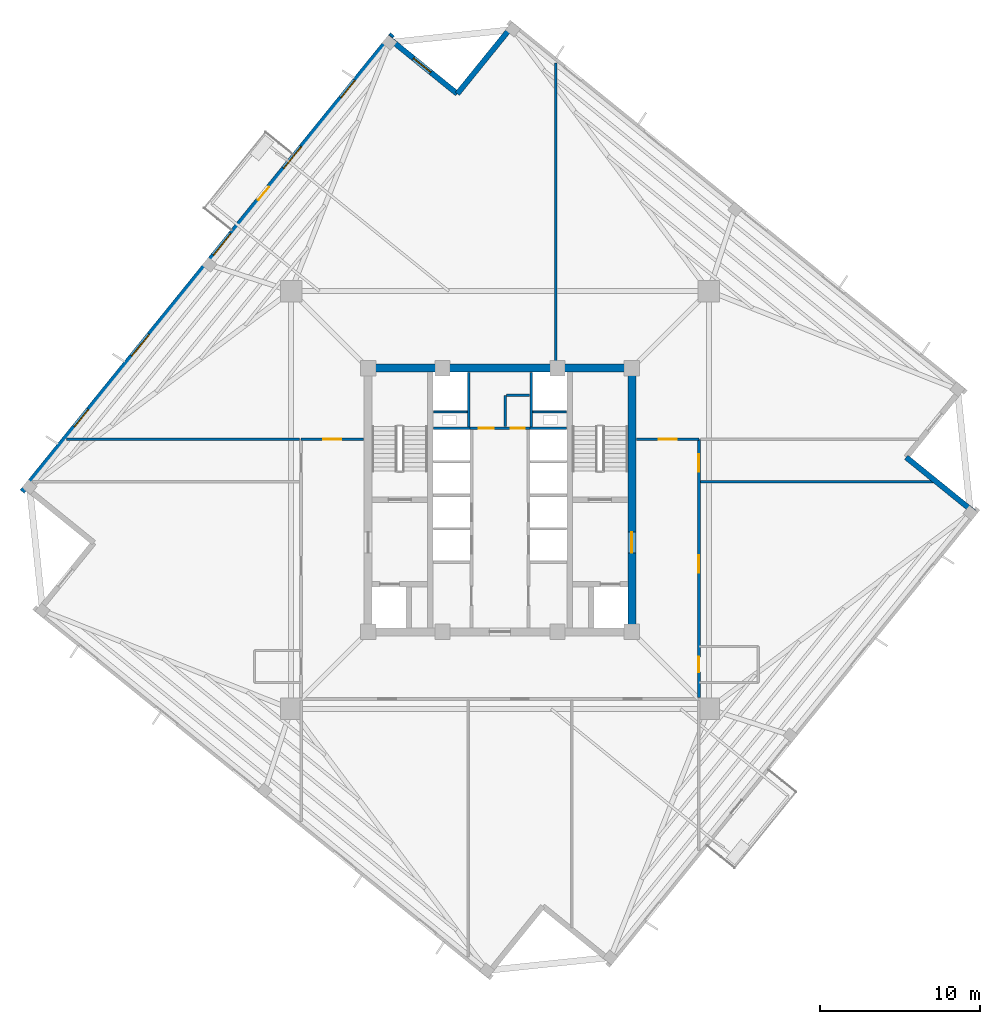
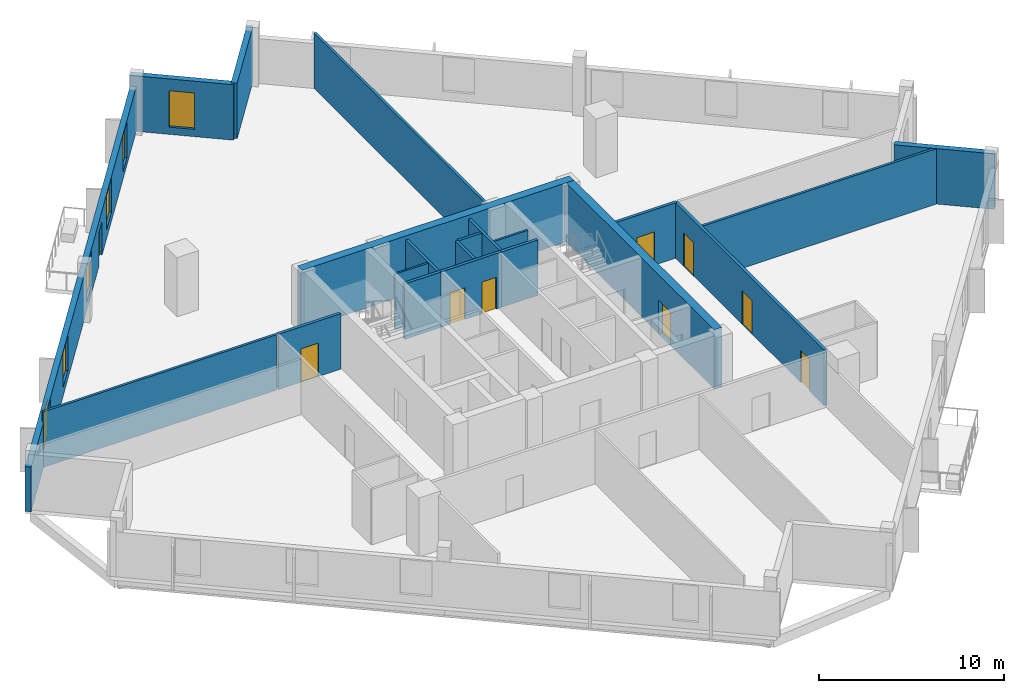
# One storey, part 4 of 9: 21 walls, 9 doors, 6 windows, 15 openings.
"""IFC4 building model written with IfcOpenShell, lengths in metres."""

from ifc_helpers import new_model, si_unit, direction, frame, frame_2d, origin, place, context, subcontext, project, spatial, rectangle, extrude, source, transform, mapped, material, layer, layer_set, type_object, element, fill, save


model = new_model("IFC4")

# Units and contexts
model_context = context("Model", 3, precision=1e-05, world=origin(), true_north=direction((0.0, 1.0)))
body_context = subcontext(model_context, "Body", "Model", "MODEL_VIEW")
ifc_project = project(units=[si_unit("LENGTHUNIT", "METRE"), si_unit("AREAUNIT", "SQUARE_METRE"), si_unit("VOLUMEUNIT", "CUBIC_METRE"), si_unit("PLANEANGLEUNIT", "RADIAN"), si_unit("MASSUNIT", "GRAM", prefix="KILO"), si_unit("THERMODYNAMICTEMPERATUREUNIT", "KELVIN")], contexts=[model_context])

# Site, building, storey
site_placement = place(None, origin())
site = spatial("IfcSite", under=ifc_project, at=site_placement, CompositionType="ELEMENT")
building_placement = place(site_placement, origin())
building = spatial("IfcBuilding", under=site, at=building_placement, Name="Kosmvard Interchange Tower", CompositionType="ELEMENT")
storey_placement = place(building_placement, frame((0.0, 0.0, 225.10009765625)))
storey = spatial("IfcBuildingStorey", under=building, at=storey_placement, Name="L54", CompositionType="ELEMENT", Elevation=225.10009765625)

# Walls
ifc_material_1 = material(Name="Acoustic gypsum partition system")
ifc_layer_1 = layer(ifc_material_1, 0.14990234375, Name="Acoustic gypsum partition system")
ifc_layer_set_1 = layer_set([ifc_layer_1], Name="Acoustic gypsum partition system")
wall_type_1 = type_object("IfcWallType", Name="Acoustic Suite & Meeting Partition 150", PredefinedType="PARTITIONING", material=ifc_layer_set_1)
wall_1_placement = place(storey_placement, frame((3.5, 8.5048828125, 0.0), z_axis=(0.0, 0.0, 1.0), x_axis=(0.0, 1.0, 0.0)))
element("IfcWall", 1, at=wall_1_placement, inside=storey, type_object=wall_type_1, Name="L54 Room Partition 01.1", PredefinedType="PARTITIONING", context=body_context, shape_type="SweptSolid", body=[
    extrude(rectangle(XDim=18.86767578125, YDim=0.14990234375, at=frame_2d((9.433837890625, 0.0))), origin(), (0.0, 0.0, 1.0), 3.659912109375),
])
wall_2_placement = place(storey_placement, frame((-27.12939453125, 3.800048828125, 0.0), z_axis=(0.0, 0.0, 1.0), x_axis=(1.0, 0.0, 0.0)))
element("IfcWall", 2, at=wall_2_placement, inside=storey, type_object=wall_type_1, Name="L54 Room Partition 03.1", PredefinedType="PARTITIONING", context=body_context, shape_type="SweptSolid", body=[
    extrude(rectangle(XDim=14.58447265625, YDim=0.14990234375, at=frame_2d((7.292236328125, 0.0))), origin(), (0.0, 0.0, 1.0), 3.659912109375),
])
wall_3_placement = place(storey_placement, frame((12.544921875, 1.14990234375, 0.0), z_axis=(0.0, 0.0, 1.0), x_axis=(1.0, 0.0, 0.0)))
element("IfcWall", 3, at=wall_3_placement, inside=storey, type_object=wall_type_1, Name="L54 Room Partition 04.1", PredefinedType="PARTITIONING", context=body_context, shape_type="SweptSolid", body=[
    extrude(rectangle(XDim=14.597412109375, YDim=0.14990234375, at=frame_2d((7.298828125, 0.0))), origin(), (0.0, 0.0, 1.0), 3.659912109375),
])
ifc_material_2 = material(Name="Fire-rated gypsum partition system")
ifc_layer_2 = layer(ifc_material_2, 0.159912109375, Name="Fire-rated gypsum partition system")
ifc_layer_set_2 = layer_set([ifc_layer_2], Name="Fire-rated gypsum partition system")
wall_type_2 = type_object("IfcWallType", Name="Core Compartment & Shuttle Lobby Partition 160", PredefinedType="PARTITIONING", material=ifc_layer_set_2)
for number, where, z_axis, x_axis, name in (
    (4, (-1.9599609375, 4.580078125, 0.0), (0.0, 0.0, 1.0), (0.0, 1.0, 0.0), "L54 North Core West Wall"),
    (5, (1.9599609375, 4.580078125, 0.0), (0.0, 0.0, 1.0), (0.0, 1.0, 0.0), "L54 North Core East Wall"),
):
    element("IfcWall", number, at=place(storey_placement, frame(where, z_axis=z_axis, x_axis=x_axis)), inside=storey, type_object=wall_type_2, Name=name, PredefinedType="PARTITIONING", context=body_context, shape_type="SweptSolid", body=[
        extrude(rectangle(XDim=3.39990234375, YDim=0.159912109375, at=frame_2d((1.699951171875, 0.0))), origin(), (0.0, 0.0, 1.0), 3.659912109375),
    ])
ifc_material_3 = material(Name="Concrete blockwork masonry", Category="masonry")
ifc_layer_3 = layer(ifc_material_3, 0.159912109375, Name="Concrete blockwork masonry")
ifc_layer_set_3 = layer_set([ifc_layer_3], Name="Concrete blockwork masonry")
wall_type_3 = type_object("IfcWallType", Name="Core Enclosure Split Wall 160", PredefinedType="PARTITIONING", material=ifc_layer_set_3)
wall_4_placement = place(storey_placement, frame((0.320068359375, 4.60009765625, 0.0), z_axis=(0.0, 0.0, 1.0), x_axis=(0.0, 1.0, 0.0)))
element("IfcWall", 6, at=wall_4_placement, inside=storey, type_object=wall_type_3, Name="L54 Core K3 L-Wall 1", PredefinedType="PARTITIONING", context=body_context, shape_type="SweptSolid", body=[
    extrude(rectangle(XDim=1.949951171875, YDim=0.159912109375, at=frame_2d((0.97509765625, 0.0))), origin(), (0.0, 0.0, 1.0), 3.659912109375),
])
wall_5_placement = place(storey_placement, frame((0.39990234375, 6.550048828125, 0.0), z_axis=(0.0, 0.0, 1.0), x_axis=(1.0, 0.0, 0.0)))
element("IfcWall", 7, at=wall_5_placement, inside=storey, type_object=wall_type_3, Name="L54 Core K3 L-Wall 2", PredefinedType="PARTITIONING", context=body_context, shape_type="SweptSolid", body=[
    extrude(rectangle(XDim=1.460205078125, YDim=0.159912109375, at=frame_2d((0.72998046875, 0.0))), origin(), (0.0, 0.0, 1.0), 3.659912109375),
])

# Wall, openings, doors
ifc_layer_4 = layer(ifc_material_2, 0.179931640625, Name="Fire-rated gypsum partition system")
ifc_layer_set_4 = layer_set([ifc_layer_4], Name="Fire-rated gypsum partition system")
wall_type_4 = type_object("IfcWallType", Name="Corridor & Hotel Compartment Partition 180", PredefinedType="PARTITIONING", material=ifc_layer_set_4)
wall_6_placement = place(storey_placement, frame((-1.8798828125, 4.489990234375, 0.0), z_axis=(0.0, 0.0, 1.0), x_axis=(1.0, 0.0, 0.0)))
wall_6 = element("IfcWall", 8, at=wall_6_placement, inside=storey, type_object=wall_type_4, Name="L54 Lift Lobby North Partition", PredefinedType="PARTITIONING", context=body_context, shape_type="SweptSolid", body=[
    extrude(rectangle(XDim=3.759765625, YDim=0.179931640625, at=frame_2d((1.8798828125, 0.0))), origin(), (0.0, 0.0, 1.0), 3.659912109375),
])
opening_1_placement = place(wall_6_placement, frame((0.550048828125, 0.0, 0.0)))
opening_1 = element("IfcOpeningElement", 9, at=opening_1_placement, cuts=wall_6, Name="Opening L54-KD1", PredefinedType="OPENING", context=body_context, shape_type="SweptSolid", body=[
    extrude(rectangle(XDim=0.949951171875, YDim=2.10009765625, at=frame_2d((0.47509765625, 1.050048828125))), frame((0.0, 0.10009765625, 0.0), z_axis=(0.0, -1.0, 0.0), x_axis=(1.0, 0.0, 0.0)), (0.0, 0.0, 1.0), 0.199951171875),
])
opening_2_placement = place(wall_6_placement, frame((2.56005859375, 0.0, 0.0)))
opening_2 = element("IfcOpeningElement", 10, at=opening_2_placement, cuts=wall_6, Name="Opening L54-KD2", PredefinedType="OPENING", context=body_context, shape_type="SweptSolid", body=[
    extrude(rectangle(XDim=0.8798828125, YDim=2.10009765625, at=frame_2d((0.43994140625, 1.050048828125))), frame((0.0, 0.10009765625, 0.0), z_axis=(0.0, -1.0, 0.0), x_axis=(1.0, 0.0, 0.0)), (0.0, 0.0, 1.0), 0.199951171875),
])
ifc_material_4 = material(Name="Painted fire-rated timber leaf", Category="wood")
door_type_1 = type_object("IfcDoorType", Name="Core Service Fire Door 950x2100 EI30", OperationType="NOTDEFINED", PredefinedType="DOOR", material=ifc_material_4)
shared_shape_1 = source(origin(), body_context, "Body", "SweptSolid", [
    extrude(rectangle(XDim=0.949951171875, YDim=2.10009765625, at=frame_2d((0.47509765625, 1.050048828125))), frame((0.0, 0.02490234375, 0.0), z_axis=(0.0, -1.0, 0.0), x_axis=(1.0, 0.0, 0.0)), (0.0, 0.0, 1.0), 0.050048828125),
])
door_1_placement = place(opening_1_placement, origin())
door_1 = element("IfcDoor", 11, at=door_1_placement, inside=storey, type_object=door_type_1, Name="L54 Core Archive Store Door", OperationType="SINGLE_SWING_LEFT", OverallHeight=2.10009765625, OverallWidth=0.949951171875, PredefinedType="DOOR", context=body_context, shape_type="MappedRepresentation", body=[
    mapped(shared_shape_1, transform((0.0, 0.0, 0.0), scale=1.0)),
])
fill(opening_1, door_1)
door_type_2 = type_object("IfcDoorType", Name="Core Cupboard Fire Door 880x2100 EI30", OperationType="NOTDEFINED", PredefinedType="DOOR", material=ifc_material_4)
shared_shape_2 = source(origin(), body_context, "Body", "SweptSolid", [
    extrude(rectangle(XDim=0.8798828125, YDim=2.10009765625, at=frame_2d((0.43994140625, 1.050048828125))), frame((0.0, 0.02490234375, 0.0), z_axis=(0.0, -1.0, 0.0), x_axis=(1.0, 0.0, 0.0)), (0.0, 0.0, 1.0), 0.050048828125),
])
door_2_placement = place(opening_2_placement, origin())
door_2 = element("IfcDoor", 12, at=door_2_placement, inside=storey, type_object=door_type_2, Name="L54 Core Supplies Cupboard Door", OperationType="SINGLE_SWING_RIGHT", OverallHeight=2.10009765625, OverallWidth=0.8798828125, PredefinedType="DOOR", context=body_context, shape_type="MappedRepresentation", body=[
    mapped(shared_shape_2, transform((0.0, 0.0, 0.0), scale=1.0)),
])
fill(opening_2, door_2)

wall_7_placement = place(storey_placement, frame((12.449951171875, -12.35009765625, 0.0), z_axis=(0.0, 0.0, 1.0), x_axis=(0.0, 1.0, 0.0)))
wall_7 = element("IfcWall", 13, at=wall_7_placement, inside=storey, type_object=wall_type_4, Name="L54 Corridor Wall CE", PredefinedType="PARTITIONING", context=body_context, shape_type="SweptSolid", body=[
    extrude(rectangle(XDim=16.150146484375, YDim=0.179931640625, at=frame_2d((8.0751953125, 0.0))), origin(), (0.0, 0.0, 1.0), 3.659912109375),
])
opening_3_placement = place(wall_7_placement, frame((1.580078125, 0.0, 0.0)))
opening_3 = element("IfcOpeningElement", 14, at=opening_3_placement, cuts=wall_7, Name="Opening L54-D02", PredefinedType="OPENING", context=body_context, shape_type="SweptSolid", body=[
    extrude(rectangle(XDim=0.949951171875, YDim=2.10009765625, at=frame_2d((0.47509765625, 1.050048828125))), frame((0.0, 0.10009765625, 0.0), z_axis=(0.0, -1.0, 0.0), x_axis=(1.0, 0.0, 0.0)), (0.0, 0.0, 1.0), 0.199951171875),
])
opening_4_placement = place(wall_7_placement, frame((14.110595703125, 0.0, 0.0)))
opening_4 = element("IfcOpeningElement", 15, at=opening_4_placement, cuts=wall_7, Name="Opening L54-D06", PredefinedType="OPENING", context=body_context, shape_type="SweptSolid", body=[
    extrude(rectangle(XDim=1.10009765625, YDim=2.199951171875, at=frame_2d((0.550048828125, 1.10009765625))), frame((0.0, 0.10009765625, 0.0), z_axis=(0.0, -1.0, 0.0), x_axis=(1.0, 0.0, 0.0)), (0.0, 0.0, 1.0), 0.199951171875),
])
opening_5_placement = place(wall_7_placement, frame((7.783935546875, 0.0, 0.0)))
opening_5 = element("IfcOpeningElement", 16, at=opening_5_placement, cuts=wall_7, Name="Opening L54-D11", PredefinedType="OPENING", context=body_context, shape_type="SweptSolid", body=[
    extrude(rectangle(XDim=1.10009765625, YDim=2.199951171875, at=frame_2d((0.550048828125, 1.10009765625))), frame((0.0, 0.10009765625, 0.0), z_axis=(0.0, -1.0, 0.0), x_axis=(1.0, 0.0, 0.0)), (0.0, 0.0, 1.0), 0.199951171875),
])
ifc_material_5 = material(Name="Laminated moisture-resistant timber", Category="wood")
door_type_3 = type_object("IfcDoorType", Name="Accessible Washroom Door 950x2100", OperationType="NOTDEFINED", PredefinedType="DOOR", material=ifc_material_5)
door_3_placement = place(opening_3_placement, frame((0.949951171875, 0.0, 0.0), z_axis=(0.0, 0.0, 1.0), x_axis=(-1.0, 0.0, 0.0)))
door_3 = element("IfcDoor", 17, at=door_3_placement, inside=storey, type_object=door_type_3, Name="L54 Public Floor Washroom Door", OperationType="SINGLE_SWING_RIGHT", OverallHeight=2.10009765625, OverallWidth=0.949951171875, PredefinedType="DOOR", context=body_context, shape_type="MappedRepresentation", body=[
    mapped(shared_shape_1, transform((0.0, 0.0, 0.0), scale=1.0)),
])
fill(opening_3, door_3)
ifc_material_6 = material(Name="Engineered oak fire-rated timber", Category="wood")
door_type_4 = type_object("IfcDoorType", Name="Office Suite Entrance Door 1100x2200 FD30S", OperationType="NOTDEFINED", PredefinedType="DOOR", material=ifc_material_6)
shared_shape_3 = source(origin(), body_context, "Body", "SweptSolid", [
    extrude(rectangle(XDim=1.10009765625, YDim=2.199951171875, at=frame_2d((0.550048828125, 1.10009765625))), frame((0.0, 0.02490234375, 0.0), z_axis=(0.0, -1.0, 0.0), x_axis=(1.0, 0.0, 0.0)), (0.0, 0.0, 1.0), 0.050048828125),
])
door_4_placement = place(opening_4_placement, frame((1.10009765625, 0.0, 0.0), z_axis=(0.0, 0.0, 1.0), x_axis=(-1.0, 0.0, 0.0)))
door_4 = element("IfcDoor", 18, at=door_4_placement, inside=storey, type_object=door_type_4, Name="L54 East Hearing Chamber 2 Door", OperationType="SINGLE_SWING_RIGHT", OverallHeight=2.199951171875, OverallWidth=1.10009765625, PredefinedType="DOOR", context=body_context, shape_type="MappedRepresentation", body=[
    mapped(shared_shape_3, transform((0.0, 0.0, 0.0), scale=1.0)),
])
fill(opening_4, door_4)
door_5_placement = place(opening_5_placement, frame((1.10009765625, 0.0, 0.0), z_axis=(0.0, 0.0, 1.0), x_axis=(-1.0, 0.0, 0.0)))
door_5 = element("IfcDoor", 19, at=door_5_placement, inside=storey, type_object=door_type_4, Name="L54 South-East Open Chambers Door", OperationType="SINGLE_SWING_LEFT", OverallHeight=2.199951171875, OverallWidth=1.10009765625, PredefinedType="DOOR", context=body_context, shape_type="MappedRepresentation", body=[
    mapped(shared_shape_3, transform((0.0, 0.0, 0.0), scale=1.0)),
])
fill(opening_5, door_5)

# Wall, opening, door
wall_8_placement = place(storey_placement, frame((-12.449951171875, 3.800048828125, 0.0), z_axis=(0.0, 0.0, 1.0), x_axis=(1.0, 0.0, 0.0)))
wall_8 = element("IfcWall", 20, at=wall_8_placement, inside=storey, type_object=wall_type_4, Name="L54 Corridor Wall CNW", PredefinedType="PARTITIONING", context=body_context, shape_type="SweptSolid", body=[
    extrude(rectangle(XDim=3.89990234375, YDim=0.179931640625, at=frame_2d((1.949951171875, 0.0))), origin(), (0.0, 0.0, 1.0), 3.659912109375),
])
opening_6_placement = place(wall_8_placement, frame((1.39990234375, 0.0, 0.0)))
opening_6 = element("IfcOpeningElement", 21, at=opening_6_placement, cuts=wall_8, Name="Opening L54-D04", PredefinedType="OPENING", context=body_context, shape_type="SweptSolid", body=[
    extrude(rectangle(XDim=1.10009765625, YDim=2.199951171875, at=frame_2d((0.550048828125, 1.10009765625))), frame((0.0, 0.10009765625, 0.0), z_axis=(0.0, -1.0, 0.0), x_axis=(1.0, 0.0, 0.0)), (0.0, 0.0, 1.0), 0.199951171875),
])
door_6_placement = place(opening_6_placement, origin())
door_6 = element("IfcDoor", 22, at=door_6_placement, inside=storey, type_object=door_type_4, Name="L54 North-West Sovereign Fund Workplace Door", OperationType="SINGLE_SWING_RIGHT", OverallHeight=2.199951171875, OverallWidth=1.10009765625, PredefinedType="DOOR", context=body_context, shape_type="MappedRepresentation", body=[
    mapped(shared_shape_3, transform((0.0, 0.0, 0.0), scale=1.0)),
])
fill(opening_6, door_6)

wall_9_placement = place(storey_placement, frame((8.550048828125, 3.800048828125, 0.0), z_axis=(0.0, 0.0, 1.0), x_axis=(1.0, 0.0, 0.0)))
wall_9 = element("IfcWall", 23, at=wall_9_placement, inside=storey, type_object=wall_type_4, Name="L54 Corridor Wall CNE", PredefinedType="PARTITIONING", context=body_context, shape_type="SweptSolid", body=[
    extrude(rectangle(XDim=3.89990234375, YDim=0.179931640625, at=frame_2d((1.949951171875, 0.0))), origin(), (0.0, 0.0, 1.0), 3.659912109375),
])
opening_7_placement = place(wall_9_placement, frame((1.39990234375, 0.0, 0.0)))
opening_7 = element("IfcOpeningElement", 24, at=opening_7_placement, cuts=wall_9, Name="Opening L54-D05", PredefinedType="OPENING", context=body_context, shape_type="SweptSolid", body=[
    extrude(rectangle(XDim=1.10009765625, YDim=2.199951171875, at=frame_2d((0.550048828125, 1.10009765625))), frame((0.0, 0.10009765625, 0.0), z_axis=(0.0, -1.0, 0.0), x_axis=(1.0, 0.0, 0.0)), (0.0, 0.0, 1.0), 0.199951171875),
])
door_7_placement = place(opening_7_placement, origin())
door_7 = element("IfcDoor", 25, at=door_7_placement, inside=storey, type_object=door_type_4, Name="L54 International Arbitration Hall Door", OperationType="SINGLE_SWING_LEFT", OverallHeight=2.199951171875, OverallWidth=1.10009765625, PredefinedType="DOOR", context=body_context, shape_type="MappedRepresentation", body=[
    mapped(shared_shape_3, transform((0.0, 0.0, 0.0), scale=1.0)),
])
fill(opening_7, door_7)

# Walls
ifc_material_7 = material(Name="Precast concrete C45/55", Category="concrete")
ifc_layer_5 = layer(ifc_material_7, 0.340087890625, Name="Precast concrete C45/55")
ifc_layer_set_5 = layer_set([ifc_layer_5], Name="Precast concrete C45/55")
wall_type_5 = type_object("IfcWallType", Name="Mid Tower Precast Pier Wall 340 C45/55", PredefinedType="STANDARD", material=ifc_layer_set_5)
for number, where, z_axis, x_axis, name in (
    (26, (29.703125, -0.78857421875, 0.0), (0.0, 0.0, 1.0), (-0.77714355312, 0.629323365087, 0.0), "L54 Precast Facade Wall N-SE1"),
    (27, (0.78857421875, 29.703125, 0.0), (0.0, 0.0, 1.0), (-0.629323365087, -0.77714355312, 0.0), "L54 Precast Facade Wall N-NE1"),
):
    element("IfcWall", number, at=place(storey_placement, frame(where, z_axis=z_axis, x_axis=x_axis)), inside=storey, type_object=wall_type_5, Name=name, PredefinedType="STANDARD", context=body_context, shape_type="SweptSolid", body=[
        extrude(rectangle(XDim=5.499755859375, YDim=0.340087890625, at=frame_2d((2.75, 0.0))), origin(), (0.0, 0.0, 1.0), 3.659912109375),
    ])

# Wall, opening, window
wall_10_placement = place(storey_placement, frame((-2.672607421875, 25.428955078125, 0.0), z_axis=(0.0, 0.0, 1.0), x_axis=(-0.777162640055, 0.629299794138, 0.0)))
wall_10 = element("IfcWall", 28, at=wall_10_placement, inside=storey, type_object=wall_type_5, Name="L54 Precast Facade Wall N-NE2", PredefinedType="STANDARD", context=body_context, shape_type="SweptSolid", body=[
    extrude(rectangle(XDim=5.669921875, YDim=0.340087890625, at=frame_2d((2.8349609375, 0.0))), origin(), (0.0, 0.0, 1.0), 3.659912109375),
])
opening_8_placement = place(wall_10_placement, frame((2.135009765625, 0.0, 0.47998046875)))
opening_8 = element("IfcOpeningElement", 29, at=opening_8_placement, cuts=wall_10, Name="Opening L54-W21", PredefinedType="OPENING", context=body_context, shape_type="SweptSolid", body=[
    extrude(rectangle(XDim=1.39990234375, YDim=2.39990234375, at=frame_2d((0.699951171875, 1.199951171875))), frame((0.0, 0.18017578125, 0.0), z_axis=(0.0, -1.0, 0.0), x_axis=(1.0, 0.0, 0.0)), (0.0, 0.0, 1.0), 0.360107421875),
])
ifc_material_8 = material(Name="Low-E solar-control double glazing", Category="glass")
window_type_1 = type_object("IfcWindowType", Name="Notched Corner Feature Window 1400x2400", PartitioningType="SINGLE_PANEL", PredefinedType="WINDOW", material=ifc_material_8)
shared_shape_4 = source(origin(), body_context, "Body", "SweptSolid", [
    extrude(rectangle(XDim=1.39990234375, YDim=2.39990234375, at=frame_2d((0.699951171875, 1.199951171875))), frame((0.0, 0.030029296875, 0.0), z_axis=(0.0, -1.0, 0.0), x_axis=(1.0, 0.0, 0.0)), (0.0, 0.0, 1.0), 0.06005859375),
])
window_1_placement = place(opening_8_placement, origin())
window_1 = element("IfcWindow", 30, at=window_1_placement, inside=storey, type_object=window_type_1, Name="L54 Corner Notch Window 21", OverallHeight=2.39990234375, OverallWidth=1.39990234375, PartitioningType="SINGLE_PANEL", PredefinedType="WINDOW", context=body_context, shape_type="MappedRepresentation", body=[
    mapped(shared_shape_4, transform((0.0, 0.0, 0.0), scale=1.0)),
])
fill(opening_8, window_1)

# Wall, openings, door, windows
wall_11_placement = place(storey_placement, frame((-6.73291015625, 29.154296875, 0.0), z_axis=(0.0, 0.0, 1.0), x_axis=(-0.629325378072, -0.77714192302, 0.0)))
wall_11 = element("IfcWall", 31, at=wall_11_placement, inside=storey, type_object=wall_type_5, Name="L54 Precast Facade Wall F-N", PredefinedType="STANDARD", context=body_context, shape_type="SweptSolid", body=[
    extrude(rectangle(XDim=36.840087890625, YDim=0.340087890625, at=frame_2d((18.419921875, 0.0))), origin(), (0.0, 0.0, 1.0), 2.9599609375),
])
opening_9_placement = place(wall_11_placement, frame((12.294921875, 0.0, 0.0)))
opening_9 = element("IfcOpeningElement", 32, at=opening_9_placement, cuts=wall_11, Name="Opening L54-BDN", PredefinedType="OPENING", context=body_context, shape_type="SweptSolid", body=[
    extrude(rectangle(XDim=1.050048828125, YDim=2.25, at=frame_2d((0.52490234375, 1.125))), frame((0.0, 0.18017578125, 0.0), z_axis=(0.0, -1.0, 0.0), x_axis=(1.0, 0.0, 0.0)), (0.0, 0.0, 1.0), 0.360107421875),
])
opening_10_placement = place(wall_11_placement, frame((3.720703125, 0.0, 0.47998046875)))
opening_10 = element("IfcOpeningElement", 33, at=opening_10_placement, cuts=wall_11, Name="Opening L54-W10", PredefinedType="OPENING", context=body_context, shape_type="SweptSolid", body=[
    extrude(rectangle(XDim=1.39990234375, YDim=2.39990234375, at=frame_2d((0.699951171875, 1.199951171875))), frame((0.0, 0.18017578125, 0.0), z_axis=(0.0, -1.0, 0.0), x_axis=(1.0, 0.0, 0.0)), (0.0, 0.0, 1.0), 0.360107421875),
])
opening_11_placement = place(wall_11_placement, frame((9.05859375, 0.0, 0.580078125)))
opening_11 = element("IfcOpeningElement", 34, at=opening_11_placement, cuts=wall_11, Name="Opening L54-W11", PredefinedType="OPENING", context=body_context, shape_type="SweptSolid", body=[
    extrude(rectangle(XDim=1.75, YDim=2.300048828125, at=frame_2d((0.875, 1.14990234375))), frame((0.0, 0.18017578125, 0.0), z_axis=(0.0, -1.0, 0.0), x_axis=(1.0, 0.0, 0.0)), (0.0, 0.0, 1.0), 0.360107421875),
])
opening_12_placement = place(wall_11_placement, frame((16.05810546875, 0.0, 0.580078125)))
opening_12 = element("IfcOpeningElement", 35, at=opening_12_placement, cuts=wall_11, Name="Opening L54-W12", PredefinedType="OPENING", context=body_context, shape_type="SweptSolid", body=[
    extrude(rectangle(XDim=1.75, YDim=2.300048828125, at=frame_2d((0.875, 1.14990234375))), frame((0.0, 0.18017578125, 0.0), z_axis=(0.0, -1.0, 0.0), x_axis=(1.0, 0.0, 0.0)), (0.0, 0.0, 1.0), 0.360107421875),
])
opening_13_placement = place(wall_11_placement, frame((24.17626953125, 0.0, 0.580078125)))
opening_13 = element("IfcOpeningElement", 36, at=opening_13_placement, cuts=wall_11, Name="Opening L54-W13", PredefinedType="OPENING", context=body_context, shape_type="SweptSolid", body=[
    extrude(rectangle(XDim=1.75, YDim=2.300048828125, at=frame_2d((0.875, 1.14990234375))), frame((0.0, 0.18017578125, 0.0), z_axis=(0.0, -1.0, 0.0), x_axis=(1.0, 0.0, 0.0)), (0.0, 0.0, 1.0), 0.360107421875),
])
opening_14_placement = place(wall_11_placement, frame((30.232421875, 0.0, 0.47998046875)))
opening_14 = element("IfcOpeningElement", 37, at=opening_14_placement, cuts=wall_11, Name="Opening L54-W14", PredefinedType="OPENING", context=body_context, shape_type="SweptSolid", body=[
    extrude(rectangle(XDim=1.39990234375, YDim=2.39990234375, at=frame_2d((0.699951171875, 1.199951171875))), frame((0.0, 0.18017578125, 0.0), z_axis=(0.0, -1.0, 0.0), x_axis=(1.0, 0.0, 0.0)), (0.0, 0.0, 1.0), 0.360107421875),
])
ifc_material_9 = material(Name="Anodised aluminium and safety glass", Category="aluminium")
door_type_5 = type_object("IfcDoorType", Name="Tree-Balcony Glazed Door 1050x2250", OperationType="NOTDEFINED", PredefinedType="DOOR", material=ifc_material_9)
shared_shape_5 = source(origin(), body_context, "Body", "SweptSolid", [
    extrude(rectangle(XDim=1.050048828125, YDim=2.25, at=frame_2d((0.52490234375, 1.125))), frame((0.0, 0.02490234375, 0.0), z_axis=(0.0, -1.0, 0.0), x_axis=(1.0, 0.0, 0.0)), (0.0, 0.0, 1.0), 0.050048828125),
])
door_8_placement = place(opening_9_placement, origin())
door_8 = element("IfcDoor", 38, at=door_8_placement, inside=storey, type_object=door_type_5, Name="L54 Tree-Balcony Door BAL-L54-N", OperationType="SINGLE_SWING_LEFT", OverallHeight=2.25, OverallWidth=1.050048828125, PredefinedType="DOOR", context=body_context, shape_type="MappedRepresentation", body=[
    mapped(shared_shape_5, transform((0.0, 0.0, 0.0), scale=1.0)),
])
fill(opening_9, door_8)
window_2_placement = place(opening_10_placement, origin())
window_2 = element("IfcWindow", 39, at=window_2_placement, inside=storey, type_object=window_type_1, Name="L54 Facade Punched Window 10", OverallHeight=2.39990234375, OverallWidth=1.39990234375, PartitioningType="SINGLE_PANEL", PredefinedType="WINDOW", context=body_context, shape_type="MappedRepresentation", body=[
    mapped(shared_shape_4, transform((0.0, 0.0, 0.0), scale=1.0)),
])
fill(opening_10, window_2)
window_3_placement = place(opening_14_placement, origin())
window_3 = element("IfcWindow", 40, at=window_3_placement, inside=storey, type_object=window_type_1, Name="L54 Facade Punched Window 14", OverallHeight=2.39990234375, OverallWidth=1.39990234375, PartitioningType="SINGLE_PANEL", PredefinedType="WINDOW", context=body_context, shape_type="MappedRepresentation", body=[
    mapped(shared_shape_4, transform((0.0, 0.0, 0.0), scale=1.0)),
])
fill(opening_14, window_3)
window_type_2 = type_object("IfcWindowType", Name="Zone 4 Suite Punched Window 1750x2300", PartitioningType="SINGLE_PANEL", PredefinedType="WINDOW", material=ifc_material_8)
shared_shape_6 = source(origin(), body_context, "Body", "SweptSolid", [
    extrude(rectangle(XDim=1.75, YDim=2.300048828125, at=frame_2d((0.875, 1.14990234375))), frame((0.0, 0.030029296875, 0.0), z_axis=(0.0, -1.0, 0.0), x_axis=(1.0, 0.0, 0.0)), (0.0, 0.0, 1.0), 0.06005859375),
])
window_4_placement = place(opening_11_placement, origin())
window_4 = element("IfcWindow", 41, at=window_4_placement, inside=storey, type_object=window_type_2, Name="L54 Facade Punched Window 11", OverallHeight=2.300048828125, OverallWidth=1.75, PartitioningType="SINGLE_PANEL", PredefinedType="WINDOW", context=body_context, shape_type="MappedRepresentation", body=[
    mapped(shared_shape_6, transform((0.0, 0.0, 0.0), scale=1.0)),
])
fill(opening_11, window_4)
window_5_placement = place(opening_12_placement, origin())
window_5 = element("IfcWindow", 42, at=window_5_placement, inside=storey, type_object=window_type_2, Name="L54 Facade Punched Window 12", OverallHeight=2.300048828125, OverallWidth=1.75, PartitioningType="SINGLE_PANEL", PredefinedType="WINDOW", context=body_context, shape_type="MappedRepresentation", body=[
    mapped(shared_shape_6, transform((0.0, 0.0, 0.0), scale=1.0)),
])
fill(opening_12, window_5)
window_6_placement = place(opening_13_placement, origin())
window_6 = element("IfcWindow", 43, at=window_6_placement, inside=storey, type_object=window_type_2, Name="L54 Facade Punched Window 13", OverallHeight=2.300048828125, OverallWidth=1.75, PartitioningType="SINGLE_PANEL", PredefinedType="WINDOW", context=body_context, shape_type="MappedRepresentation", body=[
    mapped(shared_shape_6, transform((0.0, 0.0, 0.0), scale=1.0)),
])
fill(opening_13, window_6)

# Walls
ifc_layer_6 = layer(ifc_material_3, 0.179931640625, Name="Concrete blockwork masonry")
ifc_layer_set_6 = layer_set([ifc_layer_6], Name="Concrete blockwork masonry")
wall_type_6 = type_object("IfcWallType", Name="Riser & Lift Bank Divider Wall 180", PredefinedType="PARTITIONING", material=ifc_layer_set_6)
for number, where, z_axis, x_axis, name in (
    (44, (-4.169921875, 4.489990234375, 0.0), (0.0, 0.0, 1.0), (1.0, 0.0, 0.0), "L54 West Bank Divider BD3"),
    (45, (1.889892578125, 4.489990234375, 0.0), (0.0, 0.0, 1.0), (1.0, 0.0, 0.0), "L54 East Bank Divider BD3"),
):
    element("IfcWall", number, at=place(storey_placement, frame(where, z_axis=z_axis, x_axis=x_axis)), inside=storey, type_object=wall_type_6, Name=name, PredefinedType="PARTITIONING", context=body_context, shape_type="SweptSolid", body=[
        extrude(rectangle(XDim=2.280029296875, YDim=0.179931640625, at=frame_2d((1.14013671875, 0.0))), origin(), (0.0, 0.0, 1.0), 3.659912109375),
    ])
ifc_material_10 = material(Name="Fire-rated gypsum shaftwall system")
ifc_layer_7 = layer(ifc_material_10, 0.1201171875, Name="Fire-rated gypsum shaftwall system")
ifc_layer_set_7 = layer_set([ifc_layer_7], Name="Fire-rated gypsum shaftwall system")
wall_type_7 = type_object("IfcWallType", Name="Shaft & Riser Fire Partition 120 EI60", PredefinedType="PARTITIONING", material=ifc_layer_set_7)
for number, where, z_axis, x_axis, name in (
    (46, (-4.159912109375, 5.52001953125, 0.0), (0.0, 0.0, 1.0), (1.0, 0.0, 0.0), "L54 Riser Shaft Divider W"),
    (47, (2.06005859375, 5.52001953125, 0.0), (0.0, 0.0, 1.0), (1.0, 0.0, 0.0), "L54 Riser Shaft Divider E"),
):
    element("IfcWall", number, at=place(storey_placement, frame(where, z_axis=z_axis, x_axis=x_axis)), inside=storey, type_object=wall_type_7, Name=name, PredefinedType="PARTITIONING", context=body_context, shape_type="SweptSolid", body=[
        extrude(rectangle(XDim=2.099853515625, YDim=0.1201171875, at=frame_2d((1.0498046875, 0.0))), origin(), (0.0, 0.0, 1.0), 3.659912109375),
    ])
ifc_material_11 = material(Name="Concrete C60/75", Category="concrete")
ifc_layer_8 = layer(ifc_material_11, 0.5, Name="Concrete C60/75")
ifc_layer_set_8 = layer_set([ifc_layer_8], Name="Concrete C60/75")
wall_type_8 = type_object("IfcWallType", Name="Upper Core Shear Wall 500 C60/75", PredefinedType="SHEAR", material=ifc_layer_set_8)
wall_12_placement = place(storey_placement, frame((-8.5, 8.25, 0.0), z_axis=(0.0, 0.0, 1.0), x_axis=(1.0, 0.0, 0.0)))
element("IfcWall", 48, at=wall_12_placement, inside=storey, type_object=wall_type_8, Name="L54 Core Shear Wall CW-N", PredefinedType="SHEAR", context=body_context, shape_type="SweptSolid", body=[
    extrude(rectangle(XDim=17.0, YDim=0.5, at=frame_2d((8.5, 0.0))), origin(), (0.0, 0.0, 1.0), 3.89990234375),
])

# Wall, opening, door
wall_13_placement = place(storey_placement, frame((8.25, -8.0, 0.0), z_axis=(0.0, 0.0, 1.0), x_axis=(0.0, 1.0, 0.0)))
wall_13 = element("IfcWall", 49, at=wall_13_placement, inside=storey, type_object=wall_type_8, Name="L54 Core Shear Wall CW-E", PredefinedType="SHEAR", context=body_context, shape_type="SweptSolid", body=[
    extrude(rectangle(XDim=16.0, YDim=0.5, at=frame_2d((8.0, 0.0))), origin(), (0.0, 0.0, 1.0), 3.89990234375),
])
opening_15_placement = place(wall_13_placement, frame((4.68994140625, 0.0, 0.0)))
opening_15 = element("IfcOpeningElement", 50, at=opening_15_placement, cuts=wall_13, Name="Opening L54-FD2", PredefinedType="OPENING", context=body_context, shape_type="SweptSolid", body=[
    extrude(rectangle(XDim=1.300048828125, YDim=2.199951171875, at=frame_2d((0.64990234375, 1.10009765625))), frame((0.0, 0.260009765625, 0.0), z_axis=(0.0, -1.0, 0.0), x_axis=(1.0, 0.0, 0.0)), (0.0, 0.0, 1.0), 0.52001953125),
])
ifc_material_12 = material(Name="Painted fire-rated steel leaf", Category="steel")
door_type_6 = type_object("IfcDoorType", Name="Firefighting Lobby Door 1300x2200 EI60", OperationType="NOTDEFINED", PredefinedType="DOOR", material=ifc_material_12)
shared_shape_7 = source(origin(), body_context, "Body", "SweptSolid", [
    extrude(rectangle(XDim=1.300048828125, YDim=2.199951171875, at=frame_2d((0.64990234375, 1.10009765625))), frame((0.0, 0.02490234375, 0.0), z_axis=(0.0, -1.0, 0.0), x_axis=(1.0, 0.0, 0.0)), (0.0, 0.0, 1.0), 0.050048828125),
])
door_9_placement = place(opening_15_placement, origin())
door_9 = element("IfcDoor", 51, at=door_9_placement, inside=storey, type_object=door_type_6, Name="L54 Firefighting Lobby East Door", OperationType="SINGLE_SWING_RIGHT", OverallHeight=2.199951171875, OverallWidth=1.300048828125, PredefinedType="DOOR", context=body_context, shape_type="MappedRepresentation", body=[
    mapped(shared_shape_7, transform((0.0, 0.0, 0.0), scale=1.0)),
])
fill(opening_15, door_9)

save(model, "model.ifc")
